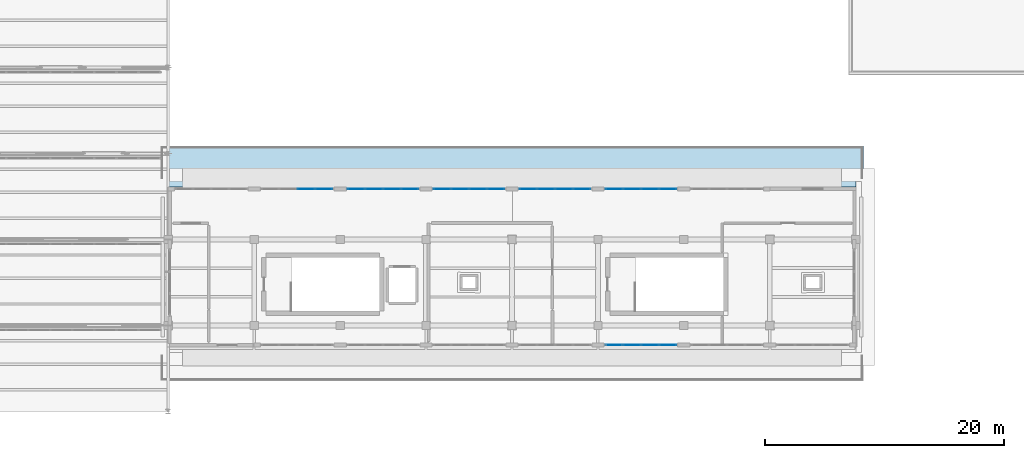
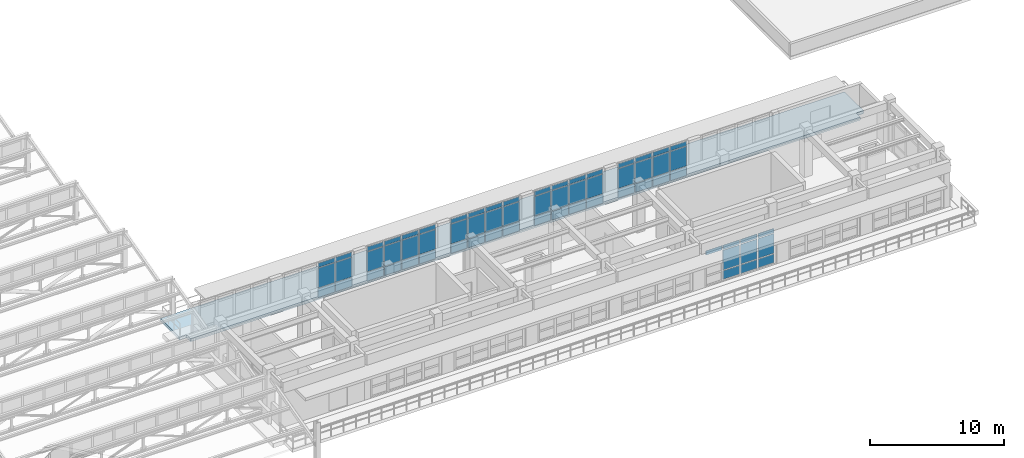
# One storey, part 35 of 55: 64 plates, 1 slab, 6 elements without a shape of their own.
"""IFC4 building model written with IfcOpenShell, lengths in metres."""

from ifc_helpers import new_model, si_unit, direction, frame, origin, origin_2d, place, context, subcontext, project, spatial, polyline, rectangle, outline, extrude, material, layer, layer_set, type_object, element, aggregate, save


model = new_model("IFC4")

# Units and contexts
model_context = context("Model", 3, precision=1e-05, world=origin(), true_north=direction((0.0, 1.0)))
body_context = subcontext(model_context, "Body", "Model", "MODEL_VIEW")
ifc_project = project(units=[si_unit("LENGTHUNIT", "METRE"), si_unit("AREAUNIT", "SQUARE_METRE"), si_unit("VOLUMEUNIT", "CUBIC_METRE"), si_unit("PLANEANGLEUNIT", "RADIAN"), si_unit("MASSUNIT", "GRAM", prefix="KILO")], contexts=[model_context])

# Site, building, storey
site_placement = place(None, origin())
site = spatial("IfcSite", under=ifc_project, at=site_placement, CompositionType="ELEMENT")
building_placement = place(site_placement, origin())
building = spatial("IfcBuilding", under=site, at=building_placement, Name="Solenvale Faculty of Natural Sciences", CompositionType="ELEMENT")
storey_placement = place(building_placement, frame((0.0, 0.0, 22.5)))
storey = spatial("IfcBuildingStorey", under=building, at=storey_placement, Name="L05", CompositionType="ELEMENT", Elevation=22.5)

# Curtain wall, plates
ifc_material_1 = material(Name="Anodised bronze aluminium", Category="aluminium")
ifc_layer_1 = layer(ifc_material_1, 0.18994140625)
ifc_layer_set_1 = layer_set([ifc_layer_1], Name="Anodised bronze aluminium")
curtain_wall_type = type_object("IfcCurtainWallType", Name="CW-TRAY-REC", PredefinedType="USERDEFINED", material=ifc_layer_set_1)
curtain_wall_1_placement = place(storey_placement, origin())
curtain_wall_1 = element("IfcCurtainWall", 1, at=curtain_wall_1_placement, inside=storey, type_object=curtain_wall_type, Name="L05 Curtain Wall CW-L05-P1-E4-B6", ObjectType="UNITISED CURTAIN WALL", PredefinedType="USERDEFINED")
ifc_material_2 = material(Name="North-light skylight glass", Category="glass")
ifc_layer_2 = layer(ifc_material_2, 0.028076171875)
ifc_layer_set_2 = layer_set([ifc_layer_2], Name="North-light skylight glass")
plate_type_1 = type_object("IfcPlateType", Name="CWP-PNL-28", PredefinedType="CURTAIN_PANEL", material=ifc_layer_set_2)
plate_1_placement = place(storey_placement, frame((94.953857421875, 19.96240234375, 2.79736328125), z_axis=(0.0, 0.0, 1.0), x_axis=(1.0, 0.0, 0.0)))
plate_1 = element("IfcPlate", 2, at=plate_1_placement, type_object=plate_type_1, Name="CW-02 panel 1.3", PredefinedType="CURTAIN_PANEL", context=body_context, shape_type="SweptSolid", body=[
    extrude(rectangle(XDim=1.3974609375, YDim=0.028076171875, at=origin_2d()), origin(), (0.0, 0.0, 1.0), 0.387451171875),
])
plate_2_placement = place(storey_placement, frame((96.445068359375, 19.96240234375, 0.074951171875), z_axis=(0.0, 0.0, 1.0), x_axis=(1.0, 0.0, 0.0)))
plate_2 = element("IfcPlate", 3, at=plate_2_placement, type_object=plate_type_1, Name="CW-02 panel 2.1", PredefinedType="CURTAIN_PANEL", context=body_context, shape_type="SweptSolid", body=[
    extrude(rectangle(XDim=1.43505859375, YDim=0.028076171875, at=origin_2d()), origin(), (0.0, 0.0, 1.0), 0.78759765625),
])
plate_3_placement = place(storey_placement, frame((96.445068359375, 19.96240234375, 0.9375), z_axis=(0.0, 0.0, 1.0), x_axis=(1.0, 0.0, 0.0)))
plate_3 = element("IfcPlate", 4, at=plate_3_placement, type_object=plate_type_1, Name="CW-02 panel 2.2", PredefinedType="CURTAIN_PANEL", context=body_context, shape_type="SweptSolid", body=[
    extrude(rectangle(XDim=1.43505859375, YDim=0.028076171875, at=origin_2d()), origin(), (0.0, 0.0, 1.0), 1.784912109375),
])
plate_4_placement = place(storey_placement, frame((96.445068359375, 19.96240234375, 2.79736328125), z_axis=(0.0, 0.0, 1.0), x_axis=(1.0, 0.0, 0.0)))
plate_4 = element("IfcPlate", 5, at=plate_4_placement, type_object=plate_type_1, Name="CW-02 panel 2.3", PredefinedType="CURTAIN_PANEL", context=body_context, shape_type="SweptSolid", body=[
    extrude(rectangle(XDim=1.43505859375, YDim=0.028076171875, at=origin_2d()), origin(), (0.0, 0.0, 1.0), 0.387451171875),
])
plate_5_placement = place(storey_placement, frame((97.955078125, 19.96240234375, 0.074951171875), z_axis=(0.0, 0.0, 1.0), x_axis=(1.0, 0.0, 0.0)))
plate_5 = element("IfcPlate", 6, at=plate_5_placement, type_object=plate_type_1, Name="CW-02 panel 3.1", PredefinedType="CURTAIN_PANEL", context=body_context, shape_type="SweptSolid", body=[
    extrude(rectangle(XDim=1.43505859375, YDim=0.028076171875, at=origin_2d()), origin(), (0.0, 0.0, 1.0), 0.78759765625),
])
plate_6_placement = place(storey_placement, frame((97.955078125, 19.96240234375, 0.9375), z_axis=(0.0, 0.0, 1.0), x_axis=(1.0, 0.0, 0.0)))
plate_6 = element("IfcPlate", 7, at=plate_6_placement, type_object=plate_type_1, Name="CW-02 panel 3.2", PredefinedType="CURTAIN_PANEL", context=body_context, shape_type="SweptSolid", body=[
    extrude(rectangle(XDim=1.43505859375, YDim=0.028076171875, at=origin_2d()), origin(), (0.0, 0.0, 1.0), 1.784912109375),
])
plate_7_placement = place(storey_placement, frame((97.955078125, 19.96240234375, 2.79736328125), z_axis=(0.0, 0.0, 1.0), x_axis=(1.0, 0.0, 0.0)))
plate_7 = element("IfcPlate", 8, at=plate_7_placement, type_object=plate_type_1, Name="CW-02 panel 3.3", PredefinedType="CURTAIN_PANEL", context=body_context, shape_type="SweptSolid", body=[
    extrude(rectangle(XDim=1.43505859375, YDim=0.028076171875, at=origin_2d()), origin(), (0.0, 0.0, 1.0), 0.387451171875),
])
plate_8_placement = place(storey_placement, frame((99.4462890625, 19.96240234375, 0.074951171875), z_axis=(0.0, 0.0, 1.0), x_axis=(1.0, 0.0, 0.0)))
plate_8 = element("IfcPlate", 9, at=plate_8_placement, type_object=plate_type_1, Name="CW-02 panel 4.1", PredefinedType="CURTAIN_PANEL", context=body_context, shape_type="SweptSolid", body=[
    extrude(rectangle(XDim=1.3974609375, YDim=0.028076171875, at=origin_2d()), origin(), (0.0, 0.0, 1.0), 0.78759765625),
])
plate_9_placement = place(storey_placement, frame((99.4462890625, 19.96240234375, 0.9375), z_axis=(0.0, 0.0, 1.0), x_axis=(1.0, 0.0, 0.0)))
plate_9 = element("IfcPlate", 10, at=plate_9_placement, type_object=plate_type_1, Name="CW-02 panel 4.2", PredefinedType="CURTAIN_PANEL", context=body_context, shape_type="SweptSolid", body=[
    extrude(rectangle(XDim=1.3974609375, YDim=0.028076171875, at=origin_2d()), origin(), (0.0, 0.0, 1.0), 1.784912109375),
])
plate_10_placement = place(storey_placement, frame((99.4462890625, 19.96240234375, 2.79736328125), z_axis=(0.0, 0.0, 1.0), x_axis=(1.0, 0.0, 0.0)))
plate_10 = element("IfcPlate", 11, at=plate_10_placement, type_object=plate_type_1, Name="CW-02 panel 4.3", PredefinedType="CURTAIN_PANEL", context=body_context, shape_type="SweptSolid", body=[
    extrude(rectangle(XDim=1.3974609375, YDim=0.028076171875, at=origin_2d()), origin(), (0.0, 0.0, 1.0), 0.387451171875),
])
aggregate(curtain_wall_1, [plate_1, plate_2, plate_3, plate_4, plate_5, plate_6, plate_7, plate_8, plate_9, plate_10])

curtain_wall_2_placement = place(storey_placement, origin())
curtain_wall_2 = element("IfcCurtainWall", 12, at=curtain_wall_2_placement, inside=storey, type_object=curtain_wall_type, Name="L05 Curtain Wall CW-L05-P1-E2-B3", ObjectType="UNITISED CURTAIN WALL", PredefinedType="USERDEFINED")
ifc_material_3 = material(Name="Triple low-E insulated glass", Category="glass")
ifc_layer_3 = layer(ifc_material_3, 0.0400390625)
ifc_layer_set_3 = layer_set([ifc_layer_3], Name="Triple low-E insulated glass")
plate_type_2 = type_object("IfcPlateType", Name="CWP-PNL-40", PredefinedType="CURTAIN_PANEL", material=ifc_layer_set_3)
plate_11_placement = place(storey_placement, frame((99.4462890625, 33.03759765625, 0.074951171875), z_axis=(0.0, 0.0, 1.0), x_axis=(-1.0, 0.0, 0.0)))
plate_11 = element("IfcPlate", 13, at=plate_11_placement, type_object=plate_type_2, Name="CW-02 panel 1.1", PredefinedType="CURTAIN_PANEL", context=body_context, shape_type="SweptSolid", body=[
    extrude(rectangle(XDim=1.3974609375, YDim=0.0400390625, at=origin_2d()), origin(), (0.0, 0.0, 1.0), 0.78759765625),
])
plate_12_placement = place(storey_placement, frame((99.4462890625, 33.03759765625, 0.9375), z_axis=(0.0, 0.0, 1.0), x_axis=(-1.0, 0.0, 0.0)))
plate_12 = element("IfcPlate", 14, at=plate_12_placement, type_object=plate_type_2, Name="CW-02 panel 1.2", PredefinedType="CURTAIN_PANEL", context=body_context, shape_type="SweptSolid", body=[
    extrude(rectangle(XDim=1.3974609375, YDim=0.0400390625, at=origin_2d()), origin(), (0.0, 0.0, 1.0), 1.784912109375),
])
plate_13_placement = place(storey_placement, frame((99.4462890625, 33.03759765625, 2.79736328125), z_axis=(0.0, 0.0, 1.0), x_axis=(-1.0, 0.0, 0.0)))
plate_13 = element("IfcPlate", 15, at=plate_13_placement, type_object=plate_type_2, Name="CW-02 panel 1.3", PredefinedType="CURTAIN_PANEL", context=body_context, shape_type="SweptSolid", body=[
    extrude(rectangle(XDim=1.3974609375, YDim=0.0400390625, at=origin_2d()), origin(), (0.0, 0.0, 1.0), 0.387451171875),
])
plate_14_placement = place(storey_placement, frame((97.955078125, 33.03759765625, 0.074951171875), z_axis=(0.0, 0.0, 1.0), x_axis=(-1.0, 0.0, 0.0)))
plate_14 = element("IfcPlate", 16, at=plate_14_placement, type_object=plate_type_2, Name="CW-02 panel 2.1", PredefinedType="CURTAIN_PANEL", context=body_context, shape_type="SweptSolid", body=[
    extrude(rectangle(XDim=1.43505859375, YDim=0.0400390625, at=origin_2d()), origin(), (0.0, 0.0, 1.0), 0.78759765625),
])
plate_15_placement = place(storey_placement, frame((97.955078125, 33.03759765625, 0.9375), z_axis=(0.0, 0.0, 1.0), x_axis=(-1.0, 0.0, 0.0)))
plate_15 = element("IfcPlate", 17, at=plate_15_placement, type_object=plate_type_2, Name="CW-02 panel 2.2", PredefinedType="CURTAIN_PANEL", context=body_context, shape_type="SweptSolid", body=[
    extrude(rectangle(XDim=1.43505859375, YDim=0.0400390625, at=origin_2d()), origin(), (0.0, 0.0, 1.0), 1.784912109375),
])
plate_16_placement = place(storey_placement, frame((97.955078125, 33.03759765625, 2.79736328125), z_axis=(0.0, 0.0, 1.0), x_axis=(-1.0, 0.0, 0.0)))
plate_16 = element("IfcPlate", 18, at=plate_16_placement, type_object=plate_type_2, Name="CW-02 panel 2.3", PredefinedType="CURTAIN_PANEL", context=body_context, shape_type="SweptSolid", body=[
    extrude(rectangle(XDim=1.43505859375, YDim=0.0400390625, at=origin_2d()), origin(), (0.0, 0.0, 1.0), 0.387451171875),
])
plate_17_placement = place(storey_placement, frame((96.445068359375, 33.03759765625, 0.074951171875), z_axis=(0.0, 0.0, 1.0), x_axis=(-1.0, 0.0, 0.0)))
plate_17 = element("IfcPlate", 19, at=plate_17_placement, type_object=plate_type_2, Name="CW-02 panel 3.1", PredefinedType="CURTAIN_PANEL", context=body_context, shape_type="SweptSolid", body=[
    extrude(rectangle(XDim=1.43505859375, YDim=0.0400390625, at=origin_2d()), origin(), (0.0, 0.0, 1.0), 0.78759765625),
])
plate_18_placement = place(storey_placement, frame((96.445068359375, 33.03759765625, 0.9375), z_axis=(0.0, 0.0, 1.0), x_axis=(-1.0, 0.0, 0.0)))
plate_18 = element("IfcPlate", 20, at=plate_18_placement, type_object=plate_type_2, Name="CW-02 panel 3.2", PredefinedType="CURTAIN_PANEL", context=body_context, shape_type="SweptSolid", body=[
    extrude(rectangle(XDim=1.43505859375, YDim=0.0400390625, at=origin_2d()), origin(), (0.0, 0.0, 1.0), 1.784912109375),
])
plate_19_placement = place(storey_placement, frame((96.445068359375, 33.03759765625, 2.79736328125), z_axis=(0.0, 0.0, 1.0), x_axis=(-1.0, 0.0, 0.0)))
plate_19 = element("IfcPlate", 21, at=plate_19_placement, type_object=plate_type_2, Name="CW-02 panel 3.3", PredefinedType="CURTAIN_PANEL", context=body_context, shape_type="SweptSolid", body=[
    extrude(rectangle(XDim=1.43505859375, YDim=0.0400390625, at=origin_2d()), origin(), (0.0, 0.0, 1.0), 0.387451171875),
])
plate_20_placement = place(storey_placement, frame((94.953857421875, 33.03759765625, 0.074951171875), z_axis=(0.0, 0.0, 1.0), x_axis=(-1.0, 0.0, 0.0)))
plate_20 = element("IfcPlate", 22, at=plate_20_placement, type_object=plate_type_2, Name="CW-02 panel 4.1", PredefinedType="CURTAIN_PANEL", context=body_context, shape_type="SweptSolid", body=[
    extrude(rectangle(XDim=1.3974609375, YDim=0.0400390625, at=origin_2d()), origin(), (0.0, 0.0, 1.0), 0.78759765625),
])
plate_21_placement = place(storey_placement, frame((94.953857421875, 33.03759765625, 0.9375), z_axis=(0.0, 0.0, 1.0), x_axis=(-1.0, 0.0, 0.0)))
plate_21 = element("IfcPlate", 23, at=plate_21_placement, type_object=plate_type_2, Name="CW-02 panel 4.2", PredefinedType="CURTAIN_PANEL", context=body_context, shape_type="SweptSolid", body=[
    extrude(rectangle(XDim=1.3974609375, YDim=0.0400390625, at=origin_2d()), origin(), (0.0, 0.0, 1.0), 1.784912109375),
])
plate_22_placement = place(storey_placement, frame((94.953857421875, 33.03759765625, 2.79736328125), z_axis=(0.0, 0.0, 1.0), x_axis=(-1.0, 0.0, 0.0)))
plate_22 = element("IfcPlate", 24, at=plate_22_placement, type_object=plate_type_2, Name="CW-02 panel 4.3", PredefinedType="CURTAIN_PANEL", context=body_context, shape_type="SweptSolid", body=[
    extrude(rectangle(XDim=1.3974609375, YDim=0.0400390625, at=origin_2d()), origin(), (0.0, 0.0, 1.0), 0.387451171875),
])
aggregate(curtain_wall_2, [plate_11, plate_12, plate_13, plate_14, plate_15, plate_16, plate_17, plate_18, plate_19, plate_20, plate_21, plate_22])

curtain_wall_3_placement = place(storey_placement, origin())
curtain_wall_3 = element("IfcCurtainWall", 25, at=curtain_wall_3_placement, inside=storey, type_object=curtain_wall_type, Name="L05 Curtain Wall CW-L05-P1-E2-B4", ObjectType="UNITISED CURTAIN WALL", PredefinedType="USERDEFINED")
ifc_layer_4 = layer(ifc_material_3, 0.0439453125)
ifc_layer_set_4 = layer_set([ifc_layer_4], Name="Triple low-E insulated glass")
plate_type_3 = type_object("IfcPlateType", Name="CWP-PNL-44", PredefinedType="CURTAIN_PANEL", material=ifc_layer_set_4)
plate_23_placement = place(storey_placement, frame((92.246337890625, 33.03759765625, 0.074951171875), z_axis=(0.0, 0.0, 1.0), x_axis=(-1.0, 0.0, 0.0)))
plate_23 = element("IfcPlate", 26, at=plate_23_placement, type_object=plate_type_3, Name="CW-02 panel 1.1", PredefinedType="CURTAIN_PANEL", context=body_context, shape_type="SweptSolid", body=[
    extrude(rectangle(XDim=1.3974609375, YDim=0.0439453125, at=origin_2d()), origin(), (0.0, 0.0, 1.0), 0.78759765625),
])
plate_24_placement = place(storey_placement, frame((92.246337890625, 33.03759765625, 0.9375), z_axis=(0.0, 0.0, 1.0), x_axis=(-1.0, 0.0, 0.0)))
plate_24 = element("IfcPlate", 27, at=plate_24_placement, type_object=plate_type_3, Name="CW-02 panel 1.2", PredefinedType="CURTAIN_PANEL", context=body_context, shape_type="SweptSolid", body=[
    extrude(rectangle(XDim=1.3974609375, YDim=0.0439453125, at=origin_2d()), origin(), (0.0, 0.0, 1.0), 1.784912109375),
])
plate_25_placement = place(storey_placement, frame((92.246337890625, 33.03759765625, 2.79736328125), z_axis=(0.0, 0.0, 1.0), x_axis=(-1.0, 0.0, 0.0)))
plate_25 = element("IfcPlate", 28, at=plate_25_placement, type_object=plate_type_3, Name="CW-02 panel 1.3", PredefinedType="CURTAIN_PANEL", context=body_context, shape_type="SweptSolid", body=[
    extrude(rectangle(XDim=1.3974609375, YDim=0.0439453125, at=origin_2d()), origin(), (0.0, 0.0, 1.0), 0.387451171875),
])
plate_26_placement = place(storey_placement, frame((90.7548828125, 33.03759765625, 0.074951171875), z_axis=(0.0, 0.0, 1.0), x_axis=(-1.0, 0.0, 0.0)))
plate_26 = element("IfcPlate", 29, at=plate_26_placement, type_object=plate_type_3, Name="CW-02 panel 2.1", PredefinedType="CURTAIN_PANEL", context=body_context, shape_type="SweptSolid", body=[
    extrude(rectangle(XDim=1.43505859375, YDim=0.0439453125, at=origin_2d()), origin(), (0.0, 0.0, 1.0), 0.78759765625),
])
plate_27_placement = place(storey_placement, frame((90.7548828125, 33.03759765625, 0.9375), z_axis=(0.0, 0.0, 1.0), x_axis=(-1.0, 0.0, 0.0)))
plate_27 = element("IfcPlate", 30, at=plate_27_placement, type_object=plate_type_3, Name="CW-02 panel 2.2", PredefinedType="CURTAIN_PANEL", context=body_context, shape_type="SweptSolid", body=[
    extrude(rectangle(XDim=1.43505859375, YDim=0.0439453125, at=origin_2d()), origin(), (0.0, 0.0, 1.0), 1.784912109375),
])
plate_28_placement = place(storey_placement, frame((90.7548828125, 33.03759765625, 2.79736328125), z_axis=(0.0, 0.0, 1.0), x_axis=(-1.0, 0.0, 0.0)))
plate_28 = element("IfcPlate", 31, at=plate_28_placement, type_object=plate_type_3, Name="CW-02 panel 2.3", PredefinedType="CURTAIN_PANEL", context=body_context, shape_type="SweptSolid", body=[
    extrude(rectangle(XDim=1.43505859375, YDim=0.0439453125, at=origin_2d()), origin(), (0.0, 0.0, 1.0), 0.387451171875),
])
plate_29_placement = place(storey_placement, frame((89.2451171875, 33.03759765625, 0.074951171875), z_axis=(0.0, 0.0, 1.0), x_axis=(-1.0, 0.0, 0.0)))
plate_29 = element("IfcPlate", 32, at=plate_29_placement, type_object=plate_type_3, Name="CW-02 panel 3.1", PredefinedType="CURTAIN_PANEL", context=body_context, shape_type="SweptSolid", body=[
    extrude(rectangle(XDim=1.43505859375, YDim=0.0439453125, at=origin_2d()), origin(), (0.0, 0.0, 1.0), 0.78759765625),
])
plate_30_placement = place(storey_placement, frame((89.2451171875, 33.03759765625, 0.9375), z_axis=(0.0, 0.0, 1.0), x_axis=(-1.0, 0.0, 0.0)))
plate_30 = element("IfcPlate", 33, at=plate_30_placement, type_object=plate_type_3, Name="CW-02 panel 3.2", PredefinedType="CURTAIN_PANEL", context=body_context, shape_type="SweptSolid", body=[
    extrude(rectangle(XDim=1.43505859375, YDim=0.0439453125, at=origin_2d()), origin(), (0.0, 0.0, 1.0), 1.784912109375),
])
plate_31_placement = place(storey_placement, frame((89.2451171875, 33.03759765625, 2.79736328125), z_axis=(0.0, 0.0, 1.0), x_axis=(-1.0, 0.0, 0.0)))
plate_31 = element("IfcPlate", 34, at=plate_31_placement, type_object=plate_type_3, Name="CW-02 panel 3.3", PredefinedType="CURTAIN_PANEL", context=body_context, shape_type="SweptSolid", body=[
    extrude(rectangle(XDim=1.43505859375, YDim=0.0439453125, at=origin_2d()), origin(), (0.0, 0.0, 1.0), 0.387451171875),
])
plate_32_placement = place(storey_placement, frame((87.753662109375, 33.03759765625, 0.074951171875), z_axis=(0.0, 0.0, 1.0), x_axis=(-1.0, 0.0, 0.0)))
plate_32 = element("IfcPlate", 35, at=plate_32_placement, type_object=plate_type_3, Name="CW-02 panel 4.1", PredefinedType="CURTAIN_PANEL", context=body_context, shape_type="SweptSolid", body=[
    extrude(rectangle(XDim=1.3974609375, YDim=0.0439453125, at=origin_2d()), origin(), (0.0, 0.0, 1.0), 0.78759765625),
])
plate_33_placement = place(storey_placement, frame((87.753662109375, 33.03759765625, 0.9375), z_axis=(0.0, 0.0, 1.0), x_axis=(-1.0, 0.0, 0.0)))
plate_33 = element("IfcPlate", 36, at=plate_33_placement, type_object=plate_type_3, Name="CW-02 panel 4.2", PredefinedType="CURTAIN_PANEL", context=body_context, shape_type="SweptSolid", body=[
    extrude(rectangle(XDim=1.3974609375, YDim=0.0439453125, at=origin_2d()), origin(), (0.0, 0.0, 1.0), 1.784912109375),
])
plate_34_placement = place(storey_placement, frame((87.753662109375, 33.03759765625, 2.79736328125), z_axis=(0.0, 0.0, 1.0), x_axis=(-1.0, 0.0, 0.0)))
plate_34 = element("IfcPlate", 37, at=plate_34_placement, type_object=plate_type_3, Name="CW-02 panel 4.3", PredefinedType="CURTAIN_PANEL", context=body_context, shape_type="SweptSolid", body=[
    extrude(rectangle(XDim=1.3974609375, YDim=0.0439453125, at=origin_2d()), origin(), (0.0, 0.0, 1.0), 0.387451171875),
])
aggregate(curtain_wall_3, [plate_23, plate_24, plate_25, plate_26, plate_27, plate_28, plate_29, plate_30, plate_31, plate_32, plate_33, plate_34])

curtain_wall_4_placement = place(storey_placement, origin())
curtain_wall_4 = element("IfcCurtainWall", 38, at=curtain_wall_4_placement, inside=storey, type_object=curtain_wall_type, Name="L05 Curtain Wall CW-L05-P1-E2-B5", ObjectType="UNITISED CURTAIN WALL", PredefinedType="USERDEFINED")
ifc_layer_5 = layer(ifc_material_1, 0.048095703125)
ifc_layer_set_5 = layer_set([ifc_layer_5], Name="Anodised bronze aluminium")
plate_type_4 = type_object("IfcPlateType", Name="CWP-PNL-48", PredefinedType="CURTAIN_PANEL", material=ifc_layer_set_5)
plate_35_placement = place(storey_placement, frame((85.046142578125, 33.03759765625, 0.074951171875), z_axis=(0.0, 0.0, 1.0), x_axis=(-1.0, 0.0, 0.0)))
plate_35 = element("IfcPlate", 39, at=plate_35_placement, type_object=plate_type_4, Name="CW-02 panel 1.1", PredefinedType="CURTAIN_PANEL", context=body_context, shape_type="SweptSolid", body=[
    extrude(rectangle(XDim=1.3974609375, YDim=0.048095703125, at=origin_2d()), origin(), (0.0, 0.0, 1.0), 0.78759765625),
])
plate_36_placement = place(storey_placement, frame((85.046142578125, 33.03759765625, 0.9375), z_axis=(0.0, 0.0, 1.0), x_axis=(-1.0, 0.0, 0.0)))
plate_36 = element("IfcPlate", 40, at=plate_36_placement, type_object=plate_type_4, Name="CW-02 panel 1.2", PredefinedType="CURTAIN_PANEL", context=body_context, shape_type="SweptSolid", body=[
    extrude(rectangle(XDim=1.3974609375, YDim=0.048095703125, at=origin_2d()), origin(), (0.0, 0.0, 1.0), 1.784912109375),
])
plate_37_placement = place(storey_placement, frame((85.046142578125, 33.03759765625, 2.79736328125), z_axis=(0.0, 0.0, 1.0), x_axis=(-1.0, 0.0, 0.0)))
plate_37 = element("IfcPlate", 41, at=plate_37_placement, type_object=plate_type_4, Name="CW-02 panel 1.3", PredefinedType="CURTAIN_PANEL", context=body_context, shape_type="SweptSolid", body=[
    extrude(rectangle(XDim=1.3974609375, YDim=0.048095703125, at=origin_2d()), origin(), (0.0, 0.0, 1.0), 0.387451171875),
])
plate_38_placement = place(storey_placement, frame((83.554931640625, 33.03759765625, 0.074951171875), z_axis=(0.0, 0.0, 1.0), x_axis=(-1.0, 0.0, 0.0)))
plate_38 = element("IfcPlate", 42, at=plate_38_placement, type_object=plate_type_4, Name="CW-02 panel 2.1", PredefinedType="CURTAIN_PANEL", context=body_context, shape_type="SweptSolid", body=[
    extrude(rectangle(XDim=1.43505859375, YDim=0.048095703125, at=origin_2d()), origin(), (0.0, 0.0, 1.0), 0.78759765625),
])
plate_39_placement = place(storey_placement, frame((83.554931640625, 33.03759765625, 0.9375), z_axis=(0.0, 0.0, 1.0), x_axis=(-1.0, 0.0, 0.0)))
plate_39 = element("IfcPlate", 43, at=plate_39_placement, type_object=plate_type_4, Name="CW-02 panel 2.2", PredefinedType="CURTAIN_PANEL", context=body_context, shape_type="SweptSolid", body=[
    extrude(rectangle(XDim=1.43505859375, YDim=0.048095703125, at=origin_2d()), origin(), (0.0, 0.0, 1.0), 1.784912109375),
])
plate_40_placement = place(storey_placement, frame((83.554931640625, 33.03759765625, 2.79736328125), z_axis=(0.0, 0.0, 1.0), x_axis=(-1.0, 0.0, 0.0)))
plate_40 = element("IfcPlate", 44, at=plate_40_placement, type_object=plate_type_4, Name="CW-02 panel 2.3", PredefinedType="CURTAIN_PANEL", context=body_context, shape_type="SweptSolid", body=[
    extrude(rectangle(XDim=1.43505859375, YDim=0.048095703125, at=origin_2d()), origin(), (0.0, 0.0, 1.0), 0.387451171875),
])
plate_41_placement = place(storey_placement, frame((82.044921875, 33.03759765625, 0.074951171875), z_axis=(0.0, 0.0, 1.0), x_axis=(-1.0, 0.0, 0.0)))
plate_41 = element("IfcPlate", 45, at=plate_41_placement, type_object=plate_type_4, Name="CW-02 panel 3.1", PredefinedType="CURTAIN_PANEL", context=body_context, shape_type="SweptSolid", body=[
    extrude(rectangle(XDim=1.43505859375, YDim=0.048095703125, at=origin_2d()), origin(), (0.0, 0.0, 1.0), 0.78759765625),
])
plate_42_placement = place(storey_placement, frame((82.044921875, 33.03759765625, 0.9375), z_axis=(0.0, 0.0, 1.0), x_axis=(-1.0, 0.0, 0.0)))
plate_42 = element("IfcPlate", 46, at=plate_42_placement, type_object=plate_type_4, Name="CW-02 panel 3.2", PredefinedType="CURTAIN_PANEL", context=body_context, shape_type="SweptSolid", body=[
    extrude(rectangle(XDim=1.43505859375, YDim=0.048095703125, at=origin_2d()), origin(), (0.0, 0.0, 1.0), 1.784912109375),
])
plate_43_placement = place(storey_placement, frame((82.044921875, 33.03759765625, 2.79736328125), z_axis=(0.0, 0.0, 1.0), x_axis=(-1.0, 0.0, 0.0)))
plate_43 = element("IfcPlate", 47, at=plate_43_placement, type_object=plate_type_4, Name="CW-02 panel 3.3", PredefinedType="CURTAIN_PANEL", context=body_context, shape_type="SweptSolid", body=[
    extrude(rectangle(XDim=1.43505859375, YDim=0.048095703125, at=origin_2d()), origin(), (0.0, 0.0, 1.0), 0.387451171875),
])
plate_44_placement = place(storey_placement, frame((80.5537109375, 33.03759765625, 0.074951171875), z_axis=(0.0, 0.0, 1.0), x_axis=(-1.0, 0.0, 0.0)))
plate_44 = element("IfcPlate", 48, at=plate_44_placement, type_object=plate_type_4, Name="CW-02 panel 4.1", PredefinedType="CURTAIN_PANEL", context=body_context, shape_type="SweptSolid", body=[
    extrude(rectangle(XDim=1.3974609375, YDim=0.048095703125, at=origin_2d()), origin(), (0.0, 0.0, 1.0), 0.78759765625),
])
plate_45_placement = place(storey_placement, frame((80.5537109375, 33.03759765625, 0.9375), z_axis=(0.0, 0.0, 1.0), x_axis=(-1.0, 0.0, 0.0)))
plate_45 = element("IfcPlate", 49, at=plate_45_placement, type_object=plate_type_4, Name="CW-02 panel 4.2", PredefinedType="CURTAIN_PANEL", context=body_context, shape_type="SweptSolid", body=[
    extrude(rectangle(XDim=1.3974609375, YDim=0.048095703125, at=origin_2d()), origin(), (0.0, 0.0, 1.0), 1.784912109375),
])
plate_46_placement = place(storey_placement, frame((80.5537109375, 33.03759765625, 2.79736328125), z_axis=(0.0, 0.0, 1.0), x_axis=(-1.0, 0.0, 0.0)))
plate_46 = element("IfcPlate", 50, at=plate_46_placement, type_object=plate_type_4, Name="CW-02 panel 4.3", PredefinedType="CURTAIN_PANEL", context=body_context, shape_type="SweptSolid", body=[
    extrude(rectangle(XDim=1.3974609375, YDim=0.048095703125, at=origin_2d()), origin(), (0.0, 0.0, 1.0), 0.387451171875),
])
aggregate(curtain_wall_4, [plate_35, plate_36, plate_37, plate_38, plate_39, plate_40, plate_41, plate_42, plate_43, plate_44, plate_45, plate_46])

curtain_wall_5_placement = place(storey_placement, origin())
curtain_wall_5 = element("IfcCurtainWall", 51, at=curtain_wall_5_placement, inside=storey, type_object=curtain_wall_type, Name="L05 Curtain Wall CW-L05-P1-E2-B6", ObjectType="UNITISED CURTAIN WALL", PredefinedType="USERDEFINED")
ifc_layer_6 = layer(ifc_material_1, 0.053955078125)
ifc_layer_set_6 = layer_set([ifc_layer_6], Name="Anodised bronze aluminium")
plate_type_5 = type_object("IfcPlateType", Name="CWP-PNL-54", PredefinedType="CURTAIN_PANEL", material=ifc_layer_set_6)
plate_47_placement = place(storey_placement, frame((77.84619140625, 33.03759765625, 0.074951171875), z_axis=(0.0, 0.0, 1.0), x_axis=(-1.0, 0.0, 0.0)))
plate_47 = element("IfcPlate", 52, at=plate_47_placement, type_object=plate_type_5, Name="CW-02 panel 1.1", PredefinedType="CURTAIN_PANEL", context=body_context, shape_type="SweptSolid", body=[
    extrude(rectangle(XDim=1.3974609375, YDim=0.053955078125, at=origin_2d()), origin(), (0.0, 0.0, 1.0), 0.78759765625),
])
plate_48_placement = place(storey_placement, frame((77.84619140625, 33.03759765625, 0.9375), z_axis=(0.0, 0.0, 1.0), x_axis=(-1.0, 0.0, 0.0)))
plate_48 = element("IfcPlate", 53, at=plate_48_placement, type_object=plate_type_5, Name="CW-02 panel 1.2", PredefinedType="CURTAIN_PANEL", context=body_context, shape_type="SweptSolid", body=[
    extrude(rectangle(XDim=1.3974609375, YDim=0.053955078125, at=origin_2d()), origin(), (0.0, 0.0, 1.0), 1.784912109375),
])
plate_49_placement = place(storey_placement, frame((77.84619140625, 33.03759765625, 2.79736328125), z_axis=(0.0, 0.0, 1.0), x_axis=(-1.0, 0.0, 0.0)))
plate_49 = element("IfcPlate", 54, at=plate_49_placement, type_object=plate_type_5, Name="CW-02 panel 1.3", PredefinedType="CURTAIN_PANEL", context=body_context, shape_type="SweptSolid", body=[
    extrude(rectangle(XDim=1.3974609375, YDim=0.053955078125, at=origin_2d()), origin(), (0.0, 0.0, 1.0), 0.387451171875),
])
plate_50_placement = place(storey_placement, frame((76.35498046875, 33.03759765625, 0.074951171875), z_axis=(0.0, 0.0, 1.0), x_axis=(-1.0, 0.0, 0.0)))
plate_50 = element("IfcPlate", 55, at=plate_50_placement, type_object=plate_type_5, Name="CW-02 panel 2.1", PredefinedType="CURTAIN_PANEL", context=body_context, shape_type="SweptSolid", body=[
    extrude(rectangle(XDim=1.43505859375, YDim=0.053955078125, at=origin_2d()), origin(), (0.0, 0.0, 1.0), 0.78759765625),
])
plate_51_placement = place(storey_placement, frame((76.35498046875, 33.03759765625, 0.9375), z_axis=(0.0, 0.0, 1.0), x_axis=(-1.0, 0.0, 0.0)))
plate_51 = element("IfcPlate", 56, at=plate_51_placement, type_object=plate_type_5, Name="CW-02 panel 2.2", PredefinedType="CURTAIN_PANEL", context=body_context, shape_type="SweptSolid", body=[
    extrude(rectangle(XDim=1.43505859375, YDim=0.053955078125, at=origin_2d()), origin(), (0.0, 0.0, 1.0), 1.784912109375),
])
plate_52_placement = place(storey_placement, frame((76.35498046875, 33.03759765625, 2.79736328125), z_axis=(0.0, 0.0, 1.0), x_axis=(-1.0, 0.0, 0.0)))
plate_52 = element("IfcPlate", 57, at=plate_52_placement, type_object=plate_type_5, Name="CW-02 panel 2.3", PredefinedType="CURTAIN_PANEL", context=body_context, shape_type="SweptSolid", body=[
    extrude(rectangle(XDim=1.43505859375, YDim=0.053955078125, at=origin_2d()), origin(), (0.0, 0.0, 1.0), 0.387451171875),
])
plate_53_placement = place(storey_placement, frame((74.844970703125, 33.03759765625, 0.074951171875), z_axis=(0.0, 0.0, 1.0), x_axis=(-1.0, 0.0, 0.0)))
plate_53 = element("IfcPlate", 58, at=plate_53_placement, type_object=plate_type_5, Name="CW-02 panel 3.1", PredefinedType="CURTAIN_PANEL", context=body_context, shape_type="SweptSolid", body=[
    extrude(rectangle(XDim=1.43505859375, YDim=0.053955078125, at=origin_2d()), origin(), (0.0, 0.0, 1.0), 0.78759765625),
])
plate_54_placement = place(storey_placement, frame((74.844970703125, 33.03759765625, 0.9375), z_axis=(0.0, 0.0, 1.0), x_axis=(-1.0, 0.0, 0.0)))
plate_54 = element("IfcPlate", 59, at=plate_54_placement, type_object=plate_type_5, Name="CW-02 panel 3.2", PredefinedType="CURTAIN_PANEL", context=body_context, shape_type="SweptSolid", body=[
    extrude(rectangle(XDim=1.43505859375, YDim=0.053955078125, at=origin_2d()), origin(), (0.0, 0.0, 1.0), 1.784912109375),
])
plate_55_placement = place(storey_placement, frame((74.844970703125, 33.03759765625, 2.79736328125), z_axis=(0.0, 0.0, 1.0), x_axis=(-1.0, 0.0, 0.0)))
plate_55 = element("IfcPlate", 60, at=plate_55_placement, type_object=plate_type_5, Name="CW-02 panel 3.3", PredefinedType="CURTAIN_PANEL", context=body_context, shape_type="SweptSolid", body=[
    extrude(rectangle(XDim=1.43505859375, YDim=0.053955078125, at=origin_2d()), origin(), (0.0, 0.0, 1.0), 0.387451171875),
])
plate_56_placement = place(storey_placement, frame((73.353759765625, 33.03759765625, 0.074951171875), z_axis=(0.0, 0.0, 1.0), x_axis=(-1.0, 0.0, 0.0)))
plate_56 = element("IfcPlate", 61, at=plate_56_placement, type_object=plate_type_5, Name="CW-02 panel 4.1", PredefinedType="CURTAIN_PANEL", context=body_context, shape_type="SweptSolid", body=[
    extrude(rectangle(XDim=1.3974609375, YDim=0.053955078125, at=origin_2d()), origin(), (0.0, 0.0, 1.0), 0.78759765625),
])
plate_57_placement = place(storey_placement, frame((73.353759765625, 33.03759765625, 0.9375), z_axis=(0.0, 0.0, 1.0), x_axis=(-1.0, 0.0, 0.0)))
plate_57 = element("IfcPlate", 62, at=plate_57_placement, type_object=plate_type_5, Name="CW-02 panel 4.2", PredefinedType="CURTAIN_PANEL", context=body_context, shape_type="SweptSolid", body=[
    extrude(rectangle(XDim=1.3974609375, YDim=0.053955078125, at=origin_2d()), origin(), (0.0, 0.0, 1.0), 1.784912109375),
])
plate_58_placement = place(storey_placement, frame((73.353759765625, 33.03759765625, 2.79736328125), z_axis=(0.0, 0.0, 1.0), x_axis=(-1.0, 0.0, 0.0)))
plate_58 = element("IfcPlate", 63, at=plate_58_placement, type_object=plate_type_5, Name="CW-02 panel 4.3", PredefinedType="CURTAIN_PANEL", context=body_context, shape_type="SweptSolid", body=[
    extrude(rectangle(XDim=1.3974609375, YDim=0.053955078125, at=origin_2d()), origin(), (0.0, 0.0, 1.0), 0.387451171875),
])
aggregate(curtain_wall_5, [plate_47, plate_48, plate_49, plate_50, plate_51, plate_52, plate_53, plate_54, plate_55, plate_56, plate_57, plate_58])

curtain_wall_6_placement = place(storey_placement, origin())
curtain_wall_6 = element("IfcCurtainWall", 64, at=curtain_wall_6_placement, inside=storey, type_object=curtain_wall_type, Name="L05 Curtain Wall CW-L05-P1-E2-B7", ObjectType="UNITISED CURTAIN WALL", PredefinedType="USERDEFINED")
ifc_layer_7 = layer(ifc_material_1, 0.06005859375)
ifc_layer_set_7 = layer_set([ifc_layer_7], Name="Anodised bronze aluminium")
plate_type_6 = type_object("IfcPlateType", Name="CWP-PNL-60", PredefinedType="CURTAIN_PANEL", material=ifc_layer_set_7)
plate_59_placement = place(storey_placement, frame((70.646240234375, 33.03759765625, 0.074951171875), z_axis=(0.0, 0.0, 1.0), x_axis=(-1.0, 0.0, 0.0)))
plate_59 = element("IfcPlate", 65, at=plate_59_placement, type_object=plate_type_6, Name="CW-02 panel 1.1", PredefinedType="CURTAIN_PANEL", context=body_context, shape_type="SweptSolid", body=[
    extrude(rectangle(XDim=1.3974609375, YDim=0.06005859375, at=origin_2d()), origin(), (0.0, 0.0, 1.0), 0.78759765625),
])
plate_60_placement = place(storey_placement, frame((70.646240234375, 33.03759765625, 0.9375), z_axis=(0.0, 0.0, 1.0), x_axis=(-1.0, 0.0, 0.0)))
plate_60 = element("IfcPlate", 66, at=plate_60_placement, type_object=plate_type_6, Name="CW-02 panel 1.2", PredefinedType="CURTAIN_PANEL", context=body_context, shape_type="SweptSolid", body=[
    extrude(rectangle(XDim=1.3974609375, YDim=0.06005859375, at=origin_2d()), origin(), (0.0, 0.0, 1.0), 1.784912109375),
])
plate_61_placement = place(storey_placement, frame((70.646240234375, 33.03759765625, 2.79736328125), z_axis=(0.0, 0.0, 1.0), x_axis=(-1.0, 0.0, 0.0)))
plate_61 = element("IfcPlate", 67, at=plate_61_placement, type_object=plate_type_6, Name="CW-02 panel 1.3", PredefinedType="CURTAIN_PANEL", context=body_context, shape_type="SweptSolid", body=[
    extrude(rectangle(XDim=1.3974609375, YDim=0.06005859375, at=origin_2d()), origin(), (0.0, 0.0, 1.0), 0.387451171875),
])
plate_62_placement = place(storey_placement, frame((69.155029296875, 33.03759765625, 0.074951171875), z_axis=(0.0, 0.0, 1.0), x_axis=(-1.0, 0.0, 0.0)))
plate_62 = element("IfcPlate", 68, at=plate_62_placement, type_object=plate_type_6, Name="CW-02 panel 2.1", PredefinedType="CURTAIN_PANEL", context=body_context, shape_type="SweptSolid", body=[
    extrude(rectangle(XDim=1.43505859375, YDim=0.06005859375, at=origin_2d()), origin(), (0.0, 0.0, 1.0), 0.78759765625),
])
plate_63_placement = place(storey_placement, frame((69.155029296875, 33.03759765625, 0.9375), z_axis=(0.0, 0.0, 1.0), x_axis=(-1.0, 0.0, 0.0)))
plate_63 = element("IfcPlate", 69, at=plate_63_placement, type_object=plate_type_6, Name="CW-02 panel 2.2", PredefinedType="CURTAIN_PANEL", context=body_context, shape_type="SweptSolid", body=[
    extrude(rectangle(XDim=1.43505859375, YDim=0.06005859375, at=origin_2d()), origin(), (0.0, 0.0, 1.0), 1.784912109375),
])
plate_64_placement = place(storey_placement, frame((69.155029296875, 33.03759765625, 2.79736328125), z_axis=(0.0, 0.0, 1.0), x_axis=(-1.0, 0.0, 0.0)))
plate_64 = element("IfcPlate", 70, at=plate_64_placement, type_object=plate_type_6, Name="CW-02 panel 2.3", PredefinedType="CURTAIN_PANEL", context=body_context, shape_type="SweptSolid", body=[
    extrude(rectangle(XDim=1.43505859375, YDim=0.06005859375, at=origin_2d()), origin(), (0.0, 0.0, 1.0), 0.387451171875),
])
aggregate(curtain_wall_6, [plate_59, plate_60, plate_61, plate_62, plate_63, plate_64])

# Slab
ifc_material_4 = material(Name="Precast terrace paving concrete 35 MPa", Category="concrete")
ifc_layer_8 = layer(ifc_material_4, 0.280029296875)
ifc_layer_set_8 = layer_set([ifc_layer_8], Name="Precast terrace paving concrete 35 MPa")
slab_type = type_object("IfcSlabType", Name="SL-TERR-280", PredefinedType="FLOOR", material=ifc_layer_set_8)
slab_placement = place(storey_placement, frame((0.0, 0.0, -0.280029296875)))
element("IfcSlab", 71, at=slab_placement, inside=storey, type_object=slab_type, Name="L05 North Courtyard Shaded Terrace 5", PredefinedType="FLOOR", context=body_context, shape_type="SweptSolid", body=[
    extrude(outline(polyline([(56.97998046875, 33.820068359375), (56.9658203125, 33.825927734375), (56.9599609375, 33.840087890625), (56.9599609375, 36.6201171875), (56.9658203125, 36.634033203125), (56.97998046875, 36.639892578125), (115.820068359375, 36.639892578125), (115.833984375, 36.634033203125), (115.840087890625, 36.6201171875), (115.839599609375, 33.836181640625), (115.820068359375, 33.820068359375), (115.219970703125, 33.820068359375), (115.219970703125, 33.219970703125), (115.214111328125, 33.205810546875), (115.199951171875, 33.199951171875), (57.60009765625, 33.199951171875), (57.5859375, 33.205810546875), (57.580078125, 33.219970703125), (57.580078125, 33.820068359375), (56.97998046875, 33.820068359375)])), origin(), (0.0, 0.0, 1.0), 0.280029296875),
])

save(model, "model.ifc")
